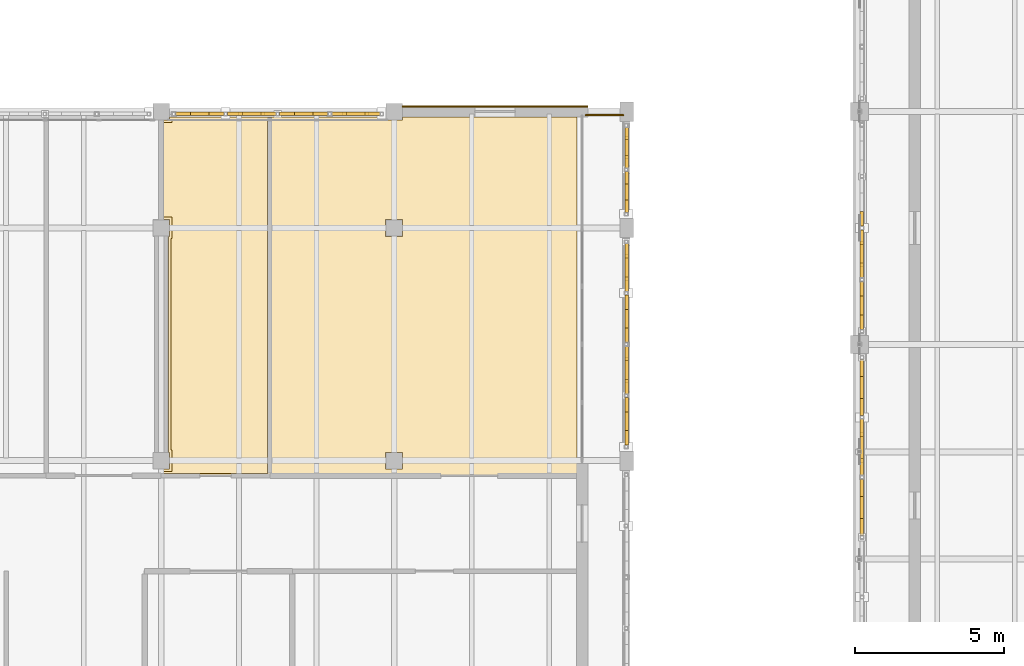
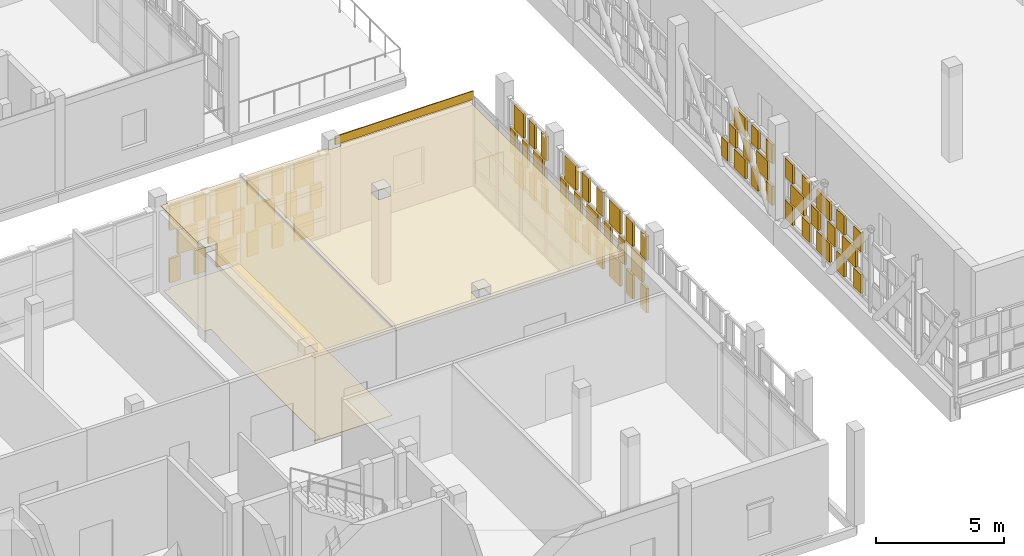
# One storey, part 105 of 119: 73 coverings, 1 railing.
"""IFC4 building model written with IfcOpenShell, lengths in metres."""

from ifc_helpers import new_model, si_unit, direction, frame, origin, origin_2d, place, context, subcontext, project, spatial, polyline, rectangle, circle, outline, extrude, material, layer, layer_set, type_object, element, save


model = new_model("IFC4")

# Units and contexts
model_context = context("Model", 3, precision=1e-05, world=origin(), true_north=direction((0.0, 1.0)))
body_context = subcontext(model_context, "Body", "Model", "MODEL_VIEW")
ifc_project = project(units=[si_unit("LENGTHUNIT", "METRE"), si_unit("AREAUNIT", "SQUARE_METRE"), si_unit("VOLUMEUNIT", "CUBIC_METRE"), si_unit("PLANEANGLEUNIT", "RADIAN"), si_unit("MASSUNIT", "GRAM", prefix="KILO")], contexts=[model_context])

# Site, building, storey
site_placement = place(None, origin())
site = spatial("IfcSite", under=ifc_project, at=site_placement, CompositionType="ELEMENT")
building_placement = place(site_placement, origin())
building = spatial("IfcBuilding", under=site, at=building_placement, Name="Celorna Specialist Clinic", CompositionType="ELEMENT")
storey_placement = place(building_placement, frame((0.0, 0.0, 9.60009765625)))
storey = spatial("IfcBuildingStorey", under=building, at=storey_placement, Name="L02", CompositionType="ELEMENT", Elevation=9.60009765625)

# Railing
ifc_material_1 = material(Name="Stainless steel and laminated glass balustrade", Category="steel")
railing_type = type_object("IfcRailingType", Name="BL-01", PredefinedType="BALUSTRADE", material=ifc_material_1)
railing_placement = place(storey_placement, frame((45.419921875, 27.179931640625, 0.0)))
element("IfcRailing", 1, at=railing_placement, inside=storey, type_object=railing_type, Name="Day Surgery Forecourt Veranda perimeter balustrade 2", PredefinedType="BALUSTRADE", context=body_context, shape_type="SweptSolid", body=[
    extrude(circle(Radius=0.02392578125, at=origin_2d()), frame((0.0, 0.0, 1.09619140625), z_axis=(1.0, 0.0, 0.0), x_axis=(0.0, 1.0, 0.0)), (0.0, 0.0, 1.0), 1.260009765625),
    extrude(circle(Radius=0.02099609375, at=origin_2d()), origin(), (0.0, 0.0, 1.0), 1.072021484375),
    extrude(circle(Radius=0.02099609375, at=origin_2d()), frame((0.6298828125, 0.0, 0.0)), (0.0, 0.0, 1.0), 1.072021484375),
    extrude(circle(Radius=0.02099609375, at=origin_2d()), frame((1.260009765625, 0.0, 0.0)), (0.0, 0.0, 1.0), 1.072021484375),
])

# Coverings
ifc_material_2 = material(Name="Hygienic acoustic mineral-fibre ceiling")
ifc_layer_1 = layer(ifc_material_2, 0.030029296875, Name="Hygienic acoustic mineral-fibre ceiling")
ifc_layer_set_1 = layer_set([ifc_layer_1], Name="Hygienic acoustic mineral-fibre ceiling")
covering_type_1 = type_object("IfcCoveringType", Name="CE-01", PredefinedType="CEILING", material=ifc_layer_set_1)
covering_1_placement = place(storey_placement, frame((0.0, 0.0, 4.02978515625)))
element("IfcCovering", 2, at=covering_1_placement, inside=storey, type_object=covering_type_1, Name="Acoustic ceiling L02-061", PredefinedType="CEILING", context=body_context, shape_type="SweptSolid", body=[
    extrude(outline(polyline([(31.43505859375, 23.1201171875), (31.47998046875, 23.1201171875), (31.47998046875, 23.679931640625), (31.175048828125, 23.679931640625), (31.175048828125, 27.02001953125), (31.47998046875, 27.02001953125), (31.47998046875, 27.125), (34.85498046875, 27.125), (34.85498046875, 15.0849609375), (31.175048828125, 15.0849609375), (31.175048828125, 15.320068359375), (31.47998046875, 15.320068359375), (31.47998046875, 15.8798828125), (31.43505859375, 15.8798828125), (31.43505859375, 23.1201171875)])), origin(), (0.0, 0.0, 1.0), 0.030029296875),
])
covering_2_placement = place(storey_placement, frame((0.0, 0.0, 4.02978515625)))
element("IfcCovering", 3, at=covering_2_placement, inside=storey, type_object=covering_type_1, Name="Acoustic ceiling L02-062", PredefinedType="CEILING", context=body_context, shape_type="SweptSolid", body=[
    extrude(outline(polyline([(38.719970703125, 27.125), (38.719970703125, 27.02001953125), (39.280029296875, 27.02001953125), (39.280029296875, 27.125), (45.125, 27.125), (45.125, 15.0849609375), (34.824951171875, 15.0849609375), (34.824951171875, 27.125), (38.719970703125, 27.125)]), holes=[polyline([(39.280029296875, 15.8798828125), (38.719970703125, 15.8798828125), (38.719970703125, 15.320068359375), (39.280029296875, 15.320068359375), (39.280029296875, 15.8798828125)]), polyline([(39.280029296875, 23.679931640625), (38.719970703125, 23.679931640625), (38.719970703125, 23.1201171875), (39.280029296875, 23.1201171875), (39.280029296875, 23.679931640625)])]), origin(), (0.0, 0.0, 1.0), 0.030029296875),
])
ifc_material_3 = material(Name="Pero Pinheiro Lioz limestone rainscreen cladding", Category="masonry")
ifc_layer_2 = layer(ifc_material_3, 0.044921875, Name="Pero Pinheiro Lioz limestone rainscreen cladding")
ifc_layer_set_2 = layer_set([ifc_layer_2], Name="Pero Pinheiro Lioz limestone rainscreen cladding")
covering_type_2 = type_object("IfcCoveringType", Name="CL-01", PredefinedType="CLADDING", material=ifc_layer_set_2)
covering_3_placement = place(storey_placement, frame((42.382568359375, 27.467529296875, 3.83984375), z_axis=(0.0, 0.0, 1.0), x_axis=(1.0, 0.0, 0.0)))
element("IfcCovering", 4, at=covering_3_placement, inside=storey, type_object=covering_type_2, Name="Lioz spandrel cladding #342", PredefinedType="CLADDING", context=body_context, shape_type="SweptSolid", body=[
    extrude(rectangle(XDim=6.215087890625, YDim=0.044921875, at=origin_2d()), origin(), (0.0, 0.0, 1.0), 0.39990234375),
])
ifc_material_4 = material(Name="Perforated terracotta brick weave cladding", Category="masonry")
ifc_layer_3 = layer(ifc_material_4, 0.114990234375, Name="Perforated terracotta brick weave cladding")
ifc_layer_set_3 = layer_set([ifc_layer_3], Name="Perforated terracotta brick weave cladding")
covering_type_3 = type_object("IfcCoveringType", Name="CL-02", PredefinedType="CLADDING", material=ifc_layer_set_3)
for number, where, z_axis, x_axis, name in (
    (5, (54.669921875, 13.3837890625, 0.099609375), (0.0, 0.0, 1.0), (0.0, 1.0, 0.0), "Woven perforated terracotta brick course #159"),
    (6, (54.669921875, 14.696044921875, 0.099609375), (0.0, 0.0, 1.0), (0.0, 1.0, 0.0), "Woven perforated terracotta brick course #160"),
):
    element("IfcCovering", number, at=place(storey_placement, frame(where, z_axis=z_axis, x_axis=x_axis)), inside=storey, type_object=covering_type_3, Name=name, PredefinedType="CLADDING", context=body_context, shape_type="SweptSolid", body=[
        extrude(rectangle(XDim=0.57568359375, YDim=0.114990234375, at=origin_2d()), origin(), (0.0, 0.0, 1.0), 0.893310546875),
    ])
covering_4_placement = place(storey_placement, frame((54.669921875, 14.0400390625, 1.09326171875), z_axis=(0.0, 0.0, 1.0), x_axis=(0.0, 1.0, 0.0)))
element("IfcCovering", 7, at=covering_4_placement, inside=storey, type_object=covering_type_3, Name="Woven perforated terracotta brick course #161", PredefinedType="CLADDING", context=body_context, shape_type="SweptSolid", body=[
    extrude(rectangle(XDim=1.01953125, YDim=0.114990234375, at=origin_2d()), origin(), (0.0, 0.0, 1.0), 0.893310546875),
])
for number, where, z_axis, x_axis, name in (
    (8, (54.669921875, 13.3837890625, 2.08642578125), (0.0, 0.0, 1.0), (0.0, 1.0, 0.0), "Woven perforated terracotta brick course #162"),
    (9, (54.669921875, 14.696044921875, 2.08642578125), (0.0, 0.0, 1.0), (0.0, 1.0, 0.0), "Woven perforated terracotta brick course #163"),
):
    element("IfcCovering", number, at=place(storey_placement, frame(where, z_axis=z_axis, x_axis=x_axis)), inside=storey, type_object=covering_type_3, Name=name, PredefinedType="CLADDING", context=body_context, shape_type="SweptSolid", body=[
        extrude(rectangle(XDim=0.57568359375, YDim=0.114990234375, at=origin_2d()), origin(), (0.0, 0.0, 1.0), 0.893310546875),
    ])
covering_5_placement = place(storey_placement, frame((54.669921875, 16.048095703125, 0.099609375), z_axis=(0.0, 0.0, 1.0), x_axis=(0.0, 1.0, 0.0)))
element("IfcCovering", 10, at=covering_5_placement, inside=storey, type_object=covering_type_3, Name="Woven perforated terracotta brick course #164", PredefinedType="CLADDING", context=body_context, shape_type="SweptSolid", body=[
    extrude(rectangle(XDim=1.01953125, YDim=0.114990234375, at=origin_2d()), origin(), (0.0, 0.0, 1.0), 0.893310546875),
])
for number, where, z_axis, x_axis, name in (
    (11, (54.669921875, 15.391845703125, 1.09326171875), (0.0, 0.0, 1.0), (0.0, 1.0, 0.0), "Woven perforated terracotta brick course #165"),
    (12, (54.669921875, 16.7041015625, 1.09326171875), (0.0, 0.0, 1.0), (0.0, 1.0, 0.0), "Woven perforated terracotta brick course #166"),
):
    element("IfcCovering", number, at=place(storey_placement, frame(where, z_axis=z_axis, x_axis=x_axis)), inside=storey, type_object=covering_type_3, Name=name, PredefinedType="CLADDING", context=body_context, shape_type="SweptSolid", body=[
        extrude(rectangle(XDim=0.57568359375, YDim=0.114990234375, at=origin_2d()), origin(), (0.0, 0.0, 1.0), 0.893310546875),
    ])
covering_6_placement = place(storey_placement, frame((54.669921875, 16.048095703125, 2.08642578125), z_axis=(0.0, 0.0, 1.0), x_axis=(0.0, 1.0, 0.0)))
element("IfcCovering", 13, at=covering_6_placement, inside=storey, type_object=covering_type_3, Name="Woven perforated terracotta brick course #167", PredefinedType="CLADDING", context=body_context, shape_type="SweptSolid", body=[
    extrude(rectangle(XDim=1.01953125, YDim=0.114990234375, at=origin_2d()), origin(), (0.0, 0.0, 1.0), 0.893310546875),
])
for number, where, z_axis, x_axis, name in (
    (14, (54.669921875, 17.39990234375, 0.099609375), (0.0, 0.0, 1.0), (0.0, 1.0, 0.0), "Woven perforated terracotta brick course #168"),
    (15, (54.669921875, 18.712158203125, 0.099609375), (0.0, 0.0, 1.0), (0.0, 1.0, 0.0), "Woven perforated terracotta brick course #169"),
):
    element("IfcCovering", number, at=place(storey_placement, frame(where, z_axis=z_axis, x_axis=x_axis)), inside=storey, type_object=covering_type_3, Name=name, PredefinedType="CLADDING", context=body_context, shape_type="SweptSolid", body=[
        extrude(rectangle(XDim=0.57568359375, YDim=0.114990234375, at=origin_2d()), origin(), (0.0, 0.0, 1.0), 0.893310546875),
    ])
covering_7_placement = place(storey_placement, frame((54.669921875, 18.055908203125, 1.09326171875), z_axis=(0.0, 0.0, 1.0), x_axis=(0.0, 1.0, 0.0)))
element("IfcCovering", 16, at=covering_7_placement, inside=storey, type_object=covering_type_3, Name="Woven perforated terracotta brick course #170", PredefinedType="CLADDING", context=body_context, shape_type="SweptSolid", body=[
    extrude(rectangle(XDim=1.01953125, YDim=0.114990234375, at=origin_2d()), origin(), (0.0, 0.0, 1.0), 0.893310546875),
])
for number, where, z_axis, x_axis, name in (
    (17, (54.669921875, 17.39990234375, 2.08642578125), (0.0, 0.0, 1.0), (0.0, 1.0, 0.0), "Woven perforated terracotta brick course #171"),
    (18, (54.669921875, 18.712158203125, 2.08642578125), (0.0, 0.0, 1.0), (0.0, 1.0, 0.0), "Woven perforated terracotta brick course #172"),
):
    element("IfcCovering", number, at=place(storey_placement, frame(where, z_axis=z_axis, x_axis=x_axis)), inside=storey, type_object=covering_type_3, Name=name, PredefinedType="CLADDING", context=body_context, shape_type="SweptSolid", body=[
        extrude(rectangle(XDim=0.57568359375, YDim=0.114990234375, at=origin_2d()), origin(), (0.0, 0.0, 1.0), 0.893310546875),
    ])
for number, where, z_axis, x_axis, name in (
    (19, (54.669921875, 20.24560546875, 0.099609375), (0.0, 0.0, 1.0), (0.0, 1.0, 0.0), "Woven perforated terracotta brick course #173"),
    (20, (54.669921875, 21.364501953125, 0.099609375), (0.0, 0.0, 1.0), (0.0, 1.0, 0.0), "Woven perforated terracotta brick course #174"),
):
    element("IfcCovering", number, at=place(storey_placement, frame(where, z_axis=z_axis, x_axis=x_axis)), inside=storey, type_object=covering_type_3, Name=name, PredefinedType="CLADDING", context=body_context, shape_type="SweptSolid", body=[
        extrude(rectangle(XDim=0.490966796875, YDim=0.114990234375, at=origin_2d()), origin(), (0.0, 0.0, 1.0), 0.893310546875),
    ])
covering_8_placement = place(storey_placement, frame((54.669921875, 20.804931640625, 1.09326171875), z_axis=(0.0, 0.0, 1.0), x_axis=(0.0, 1.0, 0.0)))
element("IfcCovering", 21, at=covering_8_placement, inside=storey, type_object=covering_type_3, Name="Woven perforated terracotta brick course #175", PredefinedType="CLADDING", context=body_context, shape_type="SweptSolid", body=[
    extrude(rectangle(XDim=0.869384765625, YDim=0.114990234375, at=origin_2d()), origin(), (0.0, 0.0, 1.0), 0.893310546875),
])
for number, where, z_axis, x_axis, name in (
    (22, (54.669921875, 20.24560546875, 2.08642578125), (0.0, 0.0, 1.0), (0.0, 1.0, 0.0), "Woven perforated terracotta brick course #176"),
    (23, (54.669921875, 21.364501953125, 2.08642578125), (0.0, 0.0, 1.0), (0.0, 1.0, 0.0), "Woven perforated terracotta brick course #177"),
):
    element("IfcCovering", number, at=place(storey_placement, frame(where, z_axis=z_axis, x_axis=x_axis)), inside=storey, type_object=covering_type_3, Name=name, PredefinedType="CLADDING", context=body_context, shape_type="SweptSolid", body=[
        extrude(rectangle(XDim=0.490966796875, YDim=0.114990234375, at=origin_2d()), origin(), (0.0, 0.0, 1.0), 0.893310546875),
    ])
covering_9_placement = place(storey_placement, frame((54.669921875, 22.534912109375, 0.099609375), z_axis=(0.0, 0.0, 1.0), x_axis=(0.0, 1.0, 0.0)))
element("IfcCovering", 24, at=covering_9_placement, inside=storey, type_object=covering_type_3, Name="Woven perforated terracotta brick course #178", PredefinedType="CLADDING", context=body_context, shape_type="SweptSolid", body=[
    extrude(rectangle(XDim=0.869384765625, YDim=0.114990234375, at=origin_2d()), origin(), (0.0, 0.0, 1.0), 0.893310546875),
])
for number, where, z_axis, x_axis, name in (
    (25, (54.669921875, 21.9755859375, 1.09326171875), (0.0, 0.0, 1.0), (0.0, 1.0, 0.0), "Woven perforated terracotta brick course #179"),
    (26, (54.669921875, 23.094482421875, 1.09326171875), (0.0, 0.0, 1.0), (0.0, 1.0, 0.0), "Woven perforated terracotta brick course #180"),
):
    element("IfcCovering", number, at=place(storey_placement, frame(where, z_axis=z_axis, x_axis=x_axis)), inside=storey, type_object=covering_type_3, Name=name, PredefinedType="CLADDING", context=body_context, shape_type="SweptSolid", body=[
        extrude(rectangle(XDim=0.490966796875, YDim=0.114990234375, at=origin_2d()), origin(), (0.0, 0.0, 1.0), 0.893310546875),
    ])
covering_10_placement = place(storey_placement, frame((54.669921875, 22.534912109375, 2.08642578125), z_axis=(0.0, 0.0, 1.0), x_axis=(0.0, 1.0, 0.0)))
element("IfcCovering", 27, at=covering_10_placement, inside=storey, type_object=covering_type_3, Name="Woven perforated terracotta brick course #181", PredefinedType="CLADDING", context=body_context, shape_type="SweptSolid", body=[
    extrude(rectangle(XDim=0.869384765625, YDim=0.114990234375, at=origin_2d()), origin(), (0.0, 0.0, 1.0), 0.893310546875),
])
covering_11_placement = place(storey_placement, frame((54.669921875, 23.70556640625, 0.099609375), z_axis=(0.0, 0.0, 1.0), x_axis=(0.0, 1.0, 0.0)))
element("IfcCovering", 28, at=covering_11_placement, inside=storey, type_object=covering_type_3, Name="Woven perforated terracotta brick course #182", PredefinedType="CLADDING", context=body_context, shape_type="SweptSolid", body=[
    extrude(rectangle(XDim=0.490966796875, YDim=0.114990234375, at=origin_2d()), origin(), (0.0, 0.0, 1.0), 0.893310546875),
])
for number, where, z_axis, x_axis, name in (
    (29, (46.7900390625, 16.36865234375, 0.10009765625), (0.0, 0.0, 1.0), (0.0, 1.0, 0.0), "Woven perforated terracotta brick course #1455"),
    (30, (46.7900390625, 17.47900390625, 0.10009765625), (0.0, 0.0, 1.0), (0.0, 1.0, 0.0), "Woven perforated terracotta brick course #1456"),
):
    element("IfcCovering", number, at=place(storey_placement, frame(where, z_axis=z_axis, x_axis=x_axis)), inside=storey, type_object=covering_type_3, Name=name, PredefinedType="CLADDING", context=body_context, shape_type="SweptSolid", body=[
        extrude(rectangle(XDim=0.4873046875, YDim=0.114990234375, at=origin_2d()), origin(), (0.0, 0.0, 1.0), 1.146728515625),
    ])
covering_12_placement = place(storey_placement, frame((46.7900390625, 16.923583984375, 1.3466796875), z_axis=(0.0, 0.0, 1.0), x_axis=(0.0, 1.0, 0.0)))
element("IfcCovering", 31, at=covering_12_placement, inside=storey, type_object=covering_type_3, Name="Woven perforated terracotta brick course #1457", PredefinedType="CLADDING", context=body_context, shape_type="SweptSolid", body=[
    extrude(rectangle(XDim=0.86279296875, YDim=0.114990234375, at=origin_2d()), origin(), (0.0, 0.0, 1.0), 1.146484375),
])
for number, where, z_axis, x_axis, name in (
    (32, (46.7900390625, 16.36865234375, 2.59326171875), (0.0, 0.0, 1.0), (0.0, 1.0, 0.0), "Woven perforated terracotta brick course #1458"),
    (33, (46.7900390625, 17.47900390625, 2.59326171875), (0.0, 0.0, 1.0), (0.0, 1.0, 0.0), "Woven perforated terracotta brick course #1459"),
):
    element("IfcCovering", number, at=place(storey_placement, frame(where, z_axis=z_axis, x_axis=x_axis)), inside=storey, type_object=covering_type_3, Name=name, PredefinedType="CLADDING", context=body_context, shape_type="SweptSolid", body=[
        extrude(rectangle(XDim=0.4873046875, YDim=0.114990234375, at=origin_2d()), origin(), (0.0, 0.0, 1.0), 1.146728515625),
    ])
covering_13_placement = place(storey_placement, frame((46.7900390625, 18.64111328125, 0.10009765625), z_axis=(0.0, 0.0, 1.0), x_axis=(0.0, 1.0, 0.0)))
element("IfcCovering", 34, at=covering_13_placement, inside=storey, type_object=covering_type_3, Name="Woven perforated terracotta brick course #1460", PredefinedType="CLADDING", context=body_context, shape_type="SweptSolid", body=[
    extrude(rectangle(XDim=0.86279296875, YDim=0.114990234375, at=origin_2d()), origin(), (0.0, 0.0, 1.0), 1.146728515625),
])
for number, where, z_axis, x_axis, name in (
    (35, (46.7900390625, 18.086181640625, 1.3466796875), (0.0, 0.0, 1.0), (0.0, 1.0, 0.0), "Woven perforated terracotta brick course #1461"),
    (36, (46.7900390625, 19.1962890625, 1.3466796875), (0.0, 0.0, 1.0), (0.0, 1.0, 0.0), "Woven perforated terracotta brick course #1462"),
):
    element("IfcCovering", number, at=place(storey_placement, frame(where, z_axis=z_axis, x_axis=x_axis)), inside=storey, type_object=covering_type_3, Name=name, PredefinedType="CLADDING", context=body_context, shape_type="SweptSolid", body=[
        extrude(rectangle(XDim=0.4873046875, YDim=0.114990234375, at=origin_2d()), origin(), (0.0, 0.0, 1.0), 1.146484375),
    ])
covering_14_placement = place(storey_placement, frame((46.7900390625, 18.64111328125, 2.59326171875), z_axis=(0.0, 0.0, 1.0), x_axis=(0.0, 1.0, 0.0)))
element("IfcCovering", 37, at=covering_14_placement, inside=storey, type_object=covering_type_3, Name="Woven perforated terracotta brick course #1463", PredefinedType="CLADDING", context=body_context, shape_type="SweptSolid", body=[
    extrude(rectangle(XDim=0.86279296875, YDim=0.114990234375, at=origin_2d()), origin(), (0.0, 0.0, 1.0), 1.146728515625),
])
for number, where, z_axis, x_axis, name in (
    (38, (46.7900390625, 19.8037109375, 0.10009765625), (0.0, 0.0, 1.0), (0.0, 1.0, 0.0), "Woven perforated terracotta brick course #1464"),
    (39, (46.7900390625, 20.913818359375, 0.10009765625), (0.0, 0.0, 1.0), (0.0, 1.0, 0.0), "Woven perforated terracotta brick course #1465"),
):
    element("IfcCovering", number, at=place(storey_placement, frame(where, z_axis=z_axis, x_axis=x_axis)), inside=storey, type_object=covering_type_3, Name=name, PredefinedType="CLADDING", context=body_context, shape_type="SweptSolid", body=[
        extrude(rectangle(XDim=0.4873046875, YDim=0.114990234375, at=origin_2d()), origin(), (0.0, 0.0, 1.0), 1.146728515625),
    ])
covering_15_placement = place(storey_placement, frame((46.7900390625, 20.35888671875, 1.3466796875), z_axis=(0.0, 0.0, 1.0), x_axis=(0.0, 1.0, 0.0)))
element("IfcCovering", 40, at=covering_15_placement, inside=storey, type_object=covering_type_3, Name="Woven perforated terracotta brick course #1466", PredefinedType="CLADDING", context=body_context, shape_type="SweptSolid", body=[
    extrude(rectangle(XDim=0.86279296875, YDim=0.114990234375, at=origin_2d()), origin(), (0.0, 0.0, 1.0), 1.146484375),
])
for number, where, z_axis, x_axis, name in (
    (41, (46.7900390625, 19.8037109375, 2.59326171875), (0.0, 0.0, 1.0), (0.0, 1.0, 0.0), "Woven perforated terracotta brick course #1467"),
    (42, (46.7900390625, 20.913818359375, 2.59326171875), (0.0, 0.0, 1.0), (0.0, 1.0, 0.0), "Woven perforated terracotta brick course #1468"),
):
    element("IfcCovering", number, at=place(storey_placement, frame(where, z_axis=z_axis, x_axis=x_axis)), inside=storey, type_object=covering_type_3, Name=name, PredefinedType="CLADDING", context=body_context, shape_type="SweptSolid", body=[
        extrude(rectangle(XDim=0.4873046875, YDim=0.114990234375, at=origin_2d()), origin(), (0.0, 0.0, 1.0), 1.146728515625),
    ])
covering_16_placement = place(storey_placement, frame((46.7900390625, 22.076416015625, 0.10009765625), z_axis=(0.0, 0.0, 1.0), x_axis=(0.0, 1.0, 0.0)))
element("IfcCovering", 43, at=covering_16_placement, inside=storey, type_object=covering_type_3, Name="Woven perforated terracotta brick course #1469", PredefinedType="CLADDING", context=body_context, shape_type="SweptSolid", body=[
    extrude(rectangle(XDim=0.86279296875, YDim=0.114990234375, at=origin_2d()), origin(), (0.0, 0.0, 1.0), 1.146728515625),
])
for number, where, z_axis, x_axis, name in (
    (44, (46.7900390625, 21.52099609375, 1.3466796875), (0.0, 0.0, 1.0), (0.0, 1.0, 0.0), "Woven perforated terracotta brick course #1470"),
    (45, (46.7900390625, 22.63134765625, 1.3466796875), (0.0, 0.0, 1.0), (0.0, 1.0, 0.0), "Woven perforated terracotta brick course #1471"),
):
    element("IfcCovering", number, at=place(storey_placement, frame(where, z_axis=z_axis, x_axis=x_axis)), inside=storey, type_object=covering_type_3, Name=name, PredefinedType="CLADDING", context=body_context, shape_type="SweptSolid", body=[
        extrude(rectangle(XDim=0.4873046875, YDim=0.114990234375, at=origin_2d()), origin(), (0.0, 0.0, 1.0), 1.146484375),
    ])
covering_17_placement = place(storey_placement, frame((46.7900390625, 22.076416015625, 2.59326171875), z_axis=(0.0, 0.0, 1.0), x_axis=(0.0, 1.0, 0.0)))
element("IfcCovering", 46, at=covering_17_placement, inside=storey, type_object=covering_type_3, Name="Woven perforated terracotta brick course #1472", PredefinedType="CLADDING", context=body_context, shape_type="SweptSolid", body=[
    extrude(rectangle(XDim=0.86279296875, YDim=0.114990234375, at=origin_2d()), origin(), (0.0, 0.0, 1.0), 1.146728515625),
])
for number, where, z_axis, x_axis, name in (
    (47, (46.7900390625, 24.13330078125, 0.10009765625), (0.0, 0.0, 1.0), (0.0, 1.0, 0.0), "Woven perforated terracotta brick course #1473"),
    (48, (46.7900390625, 25.081787109375, 0.10009765625), (0.0, 0.0, 1.0), (0.0, 1.0, 0.0), "Woven perforated terracotta brick course #1474"),
):
    element("IfcCovering", number, at=place(storey_placement, frame(where, z_axis=z_axis, x_axis=x_axis)), inside=storey, type_object=covering_type_3, Name=name, PredefinedType="CLADDING", context=body_context, shape_type="SweptSolid", body=[
        extrude(rectangle(XDim=0.416259765625, YDim=0.114990234375, at=origin_2d()), origin(), (0.0, 0.0, 1.0), 1.146728515625),
    ])
covering_18_placement = place(storey_placement, frame((46.7900390625, 24.607421875, 1.3466796875), z_axis=(0.0, 0.0, 1.0), x_axis=(0.0, 1.0, 0.0)))
element("IfcCovering", 49, at=covering_18_placement, inside=storey, type_object=covering_type_3, Name="Woven perforated terracotta brick course #1475", PredefinedType="CLADDING", context=body_context, shape_type="SweptSolid", body=[
    extrude(rectangle(XDim=0.737060546875, YDim=0.114990234375, at=origin_2d()), origin(), (0.0, 0.0, 1.0), 1.146484375),
])
for number, where, z_axis, x_axis, name in (
    (50, (46.7900390625, 24.13330078125, 2.59326171875), (0.0, 0.0, 1.0), (0.0, 1.0, 0.0), "Woven perforated terracotta brick course #1476"),
    (51, (46.7900390625, 25.081787109375, 2.59326171875), (0.0, 0.0, 1.0), (0.0, 1.0, 0.0), "Woven perforated terracotta brick course #1477"),
):
    element("IfcCovering", number, at=place(storey_placement, frame(where, z_axis=z_axis, x_axis=x_axis)), inside=storey, type_object=covering_type_3, Name=name, PredefinedType="CLADDING", context=body_context, shape_type="SweptSolid", body=[
        extrude(rectangle(XDim=0.416259765625, YDim=0.114990234375, at=origin_2d()), origin(), (0.0, 0.0, 1.0), 1.146728515625),
    ])
covering_19_placement = place(storey_placement, frame((46.7900390625, 26.092529296875, 0.10009765625), z_axis=(0.0, 0.0, 1.0), x_axis=(0.0, 1.0, 0.0)))
element("IfcCovering", 52, at=covering_19_placement, inside=storey, type_object=covering_type_3, Name="Woven perforated terracotta brick course #1478", PredefinedType="CLADDING", context=body_context, shape_type="SweptSolid", body=[
    extrude(rectangle(XDim=0.737060546875, YDim=0.114990234375, at=origin_2d()), origin(), (0.0, 0.0, 1.0), 1.146728515625),
])
for number, where, z_axis, x_axis, name in (
    (53, (46.7900390625, 25.6181640625, 1.3466796875), (0.0, 0.0, 1.0), (0.0, 1.0, 0.0), "Woven perforated terracotta brick course #1479"),
    (54, (46.7900390625, 26.56689453125, 1.3466796875), (0.0, 0.0, 1.0), (0.0, 1.0, 0.0), "Woven perforated terracotta brick course #1480"),
):
    element("IfcCovering", number, at=place(storey_placement, frame(where, z_axis=z_axis, x_axis=x_axis)), inside=storey, type_object=covering_type_3, Name=name, PredefinedType="CLADDING", context=body_context, shape_type="SweptSolid", body=[
        extrude(rectangle(XDim=0.416259765625, YDim=0.114990234375, at=origin_2d()), origin(), (0.0, 0.0, 1.0), 1.146484375),
    ])
covering_20_placement = place(storey_placement, frame((46.7900390625, 26.092529296875, 2.59326171875), z_axis=(0.0, 0.0, 1.0), x_axis=(0.0, 1.0, 0.0)))
element("IfcCovering", 55, at=covering_20_placement, inside=storey, type_object=covering_type_3, Name="Woven perforated terracotta brick course #1481", PredefinedType="CLADDING", context=body_context, shape_type="SweptSolid", body=[
    extrude(rectangle(XDim=0.737060546875, YDim=0.114990234375, at=origin_2d()), origin(), (0.0, 0.0, 1.0), 1.146728515625),
])
for number, where, z_axis, x_axis, name in (
    (56, (31.92236328125, 27.22998046875, 0.10009765625), (0.0, 0.0, 1.0), (1.0, 0.0, 0.0), "Woven perforated terracotta brick course #1536"),
    (57, (33.050048828125, 27.22998046875, 0.10009765625), (0.0, 0.0, 1.0), (1.0, 0.0, 0.0), "Woven perforated terracotta brick course #1537"),
):
    element("IfcCovering", number, at=place(storey_placement, frame(where, z_axis=z_axis, x_axis=x_axis)), inside=storey, type_object=covering_type_3, Name=name, PredefinedType="CLADDING", context=body_context, shape_type="SweptSolid", body=[
        extrude(rectangle(XDim=0.494873046875, YDim=0.114990234375, at=origin_2d()), origin(), (0.0, 0.0, 1.0), 1.146728515625),
    ])
covering_21_placement = place(storey_placement, frame((32.486083984375, 27.22998046875, 1.3466796875), z_axis=(0.0, 0.0, 1.0), x_axis=(1.0, 0.0, 0.0)))
element("IfcCovering", 58, at=covering_21_placement, inside=storey, type_object=covering_type_3, Name="Woven perforated terracotta brick course #1538", PredefinedType="CLADDING", context=body_context, shape_type="SweptSolid", body=[
    extrude(rectangle(XDim=0.876220703125, YDim=0.114990234375, at=origin_2d()), origin(), (0.0, 0.0, 1.0), 1.146484375),
])
for number, where, z_axis, x_axis, name in (
    (59, (31.92236328125, 27.22998046875, 2.59326171875), (0.0, 0.0, 1.0), (1.0, 0.0, 0.0), "Woven perforated terracotta brick course #1539"),
    (60, (33.050048828125, 27.22998046875, 2.59326171875), (0.0, 0.0, 1.0), (1.0, 0.0, 0.0), "Woven perforated terracotta brick course #1540"),
):
    element("IfcCovering", number, at=place(storey_placement, frame(where, z_axis=z_axis, x_axis=x_axis)), inside=storey, type_object=covering_type_3, Name=name, PredefinedType="CLADDING", context=body_context, shape_type="SweptSolid", body=[
        extrude(rectangle(XDim=0.494873046875, YDim=0.114990234375, at=origin_2d()), origin(), (0.0, 0.0, 1.0), 1.146728515625),
    ])
covering_22_placement = place(storey_placement, frame((34.228759765625, 27.22998046875, 0.10009765625), z_axis=(0.0, 0.0, 1.0), x_axis=(1.0, 0.0, 0.0)))
element("IfcCovering", 61, at=covering_22_placement, inside=storey, type_object=covering_type_3, Name="Woven perforated terracotta brick course #1541", PredefinedType="CLADDING", context=body_context, shape_type="SweptSolid", body=[
    extrude(rectangle(XDim=0.876220703125, YDim=0.114990234375, at=origin_2d()), origin(), (0.0, 0.0, 1.0), 1.146728515625),
])
for number, where, z_axis, x_axis, name in (
    (62, (33.664794921875, 27.22998046875, 1.3466796875), (0.0, 0.0, 1.0), (1.0, 0.0, 0.0), "Woven perforated terracotta brick course #1542"),
    (63, (34.79248046875, 27.22998046875, 1.3466796875), (0.0, 0.0, 1.0), (1.0, 0.0, 0.0), "Woven perforated terracotta brick course #1543"),
):
    element("IfcCovering", number, at=place(storey_placement, frame(where, z_axis=z_axis, x_axis=x_axis)), inside=storey, type_object=covering_type_3, Name=name, PredefinedType="CLADDING", context=body_context, shape_type="SweptSolid", body=[
        extrude(rectangle(XDim=0.494873046875, YDim=0.114990234375, at=origin_2d()), origin(), (0.0, 0.0, 1.0), 1.146484375),
    ])
covering_23_placement = place(storey_placement, frame((34.228759765625, 27.22998046875, 2.59326171875), z_axis=(0.0, 0.0, 1.0), x_axis=(1.0, 0.0, 0.0)))
element("IfcCovering", 64, at=covering_23_placement, inside=storey, type_object=covering_type_3, Name="Woven perforated terracotta brick course #1544", PredefinedType="CLADDING", context=body_context, shape_type="SweptSolid", body=[
    extrude(rectangle(XDim=0.876220703125, YDim=0.114990234375, at=origin_2d()), origin(), (0.0, 0.0, 1.0), 1.146728515625),
])
for number, where, z_axis, x_axis, name in (
    (65, (35.407470703125, 27.22998046875, 0.10009765625), (0.0, 0.0, 1.0), (1.0, 0.0, 0.0), "Woven perforated terracotta brick course #1545"),
    (66, (36.534912109375, 27.22998046875, 0.10009765625), (0.0, 0.0, 1.0), (1.0, 0.0, 0.0), "Woven perforated terracotta brick course #1546"),
):
    element("IfcCovering", number, at=place(storey_placement, frame(where, z_axis=z_axis, x_axis=x_axis)), inside=storey, type_object=covering_type_3, Name=name, PredefinedType="CLADDING", context=body_context, shape_type="SweptSolid", body=[
        extrude(rectangle(XDim=0.494873046875, YDim=0.114990234375, at=origin_2d()), origin(), (0.0, 0.0, 1.0), 1.146728515625),
    ])
covering_24_placement = place(storey_placement, frame((35.97119140625, 27.22998046875, 1.3466796875), z_axis=(0.0, 0.0, 1.0), x_axis=(1.0, 0.0, 0.0)))
element("IfcCovering", 67, at=covering_24_placement, inside=storey, type_object=covering_type_3, Name="Woven perforated terracotta brick course #1547", PredefinedType="CLADDING", context=body_context, shape_type="SweptSolid", body=[
    extrude(rectangle(XDim=0.876220703125, YDim=0.114990234375, at=origin_2d()), origin(), (0.0, 0.0, 1.0), 1.146484375),
])
for number, where, z_axis, x_axis, name in (
    (68, (35.407470703125, 27.22998046875, 2.59326171875), (0.0, 0.0, 1.0), (1.0, 0.0, 0.0), "Woven perforated terracotta brick course #1548"),
    (69, (36.534912109375, 27.22998046875, 2.59326171875), (0.0, 0.0, 1.0), (1.0, 0.0, 0.0), "Woven perforated terracotta brick course #1549"),
):
    element("IfcCovering", number, at=place(storey_placement, frame(where, z_axis=z_axis, x_axis=x_axis)), inside=storey, type_object=covering_type_3, Name=name, PredefinedType="CLADDING", context=body_context, shape_type="SweptSolid", body=[
        extrude(rectangle(XDim=0.494873046875, YDim=0.114990234375, at=origin_2d()), origin(), (0.0, 0.0, 1.0), 1.146728515625),
    ])
covering_25_placement = place(storey_placement, frame((37.7138671875, 27.22998046875, 0.10009765625), z_axis=(0.0, 0.0, 1.0), x_axis=(1.0, 0.0, 0.0)))
element("IfcCovering", 70, at=covering_25_placement, inside=storey, type_object=covering_type_3, Name="Woven perforated terracotta brick course #1550", PredefinedType="CLADDING", context=body_context, shape_type="SweptSolid", body=[
    extrude(rectangle(XDim=0.876220703125, YDim=0.114990234375, at=origin_2d()), origin(), (0.0, 0.0, 1.0), 1.146728515625),
])
for number, where, z_axis, x_axis, name in (
    (71, (37.14990234375, 27.22998046875, 1.3466796875), (0.0, 0.0, 1.0), (1.0, 0.0, 0.0), "Woven perforated terracotta brick course #1551"),
    (72, (38.277587890625, 27.22998046875, 1.3466796875), (0.0, 0.0, 1.0), (1.0, 0.0, 0.0), "Woven perforated terracotta brick course #1552"),
):
    element("IfcCovering", number, at=place(storey_placement, frame(where, z_axis=z_axis, x_axis=x_axis)), inside=storey, type_object=covering_type_3, Name=name, PredefinedType="CLADDING", context=body_context, shape_type="SweptSolid", body=[
        extrude(rectangle(XDim=0.494873046875, YDim=0.114990234375, at=origin_2d()), origin(), (0.0, 0.0, 1.0), 1.146484375),
    ])
covering_26_placement = place(storey_placement, frame((37.7138671875, 27.22998046875, 2.59326171875), z_axis=(0.0, 0.0, 1.0), x_axis=(1.0, 0.0, 0.0)))
element("IfcCovering", 73, at=covering_26_placement, inside=storey, type_object=covering_type_3, Name="Woven perforated terracotta brick course #1553", PredefinedType="CLADDING", context=body_context, shape_type="SweptSolid", body=[
    extrude(rectangle(XDim=0.876220703125, YDim=0.114990234375, at=origin_2d()), origin(), (0.0, 0.0, 1.0), 1.146728515625),
])
ifc_material_5 = material(Name="Seamless antimicrobial clinical vinyl and Lioz terrazzo flooring")
ifc_layer_4 = layer(ifc_material_5, 0.02001953125, Name="Seamless antimicrobial clinical vinyl and Lioz terrazzo flooring")
ifc_layer_set_4 = layer_set([ifc_layer_4], Name="Seamless antimicrobial clinical vinyl and Lioz terrazzo flooring")
covering_type_4 = type_object("IfcCoveringType", Name="FL-01", PredefinedType="FLOORING", material=ifc_layer_set_4)
covering_27_placement = place(storey_placement, origin())
element("IfcCovering", 74, at=covering_27_placement, inside=storey, type_object=covering_type_4, Name="Antimicrobial clinical flooring L02-061", PredefinedType="FLOORING", context=body_context, shape_type="SweptSolid", body=[
    extrude(outline(polyline([(31.52490234375, 15.9599609375), (31.52490234375, 23.0400390625), (31.56005859375, 23.0400390625), (31.56005859375, 23.760009765625), (31.264892578125, 23.760009765625), (31.264892578125, 26.93994140625), (31.56005859375, 26.93994140625), (31.56005859375, 27.034912109375), (34.764892578125, 27.034912109375), (34.764892578125, 15.175048828125), (31.264892578125, 15.175048828125), (31.264892578125, 15.239990234375), (31.56005859375, 15.239990234375), (31.56005859375, 15.9599609375), (31.52490234375, 15.9599609375)])), origin(), (0.0, 0.0, 1.0), 0.02001953125),
])

save(model, "model.ifc")
